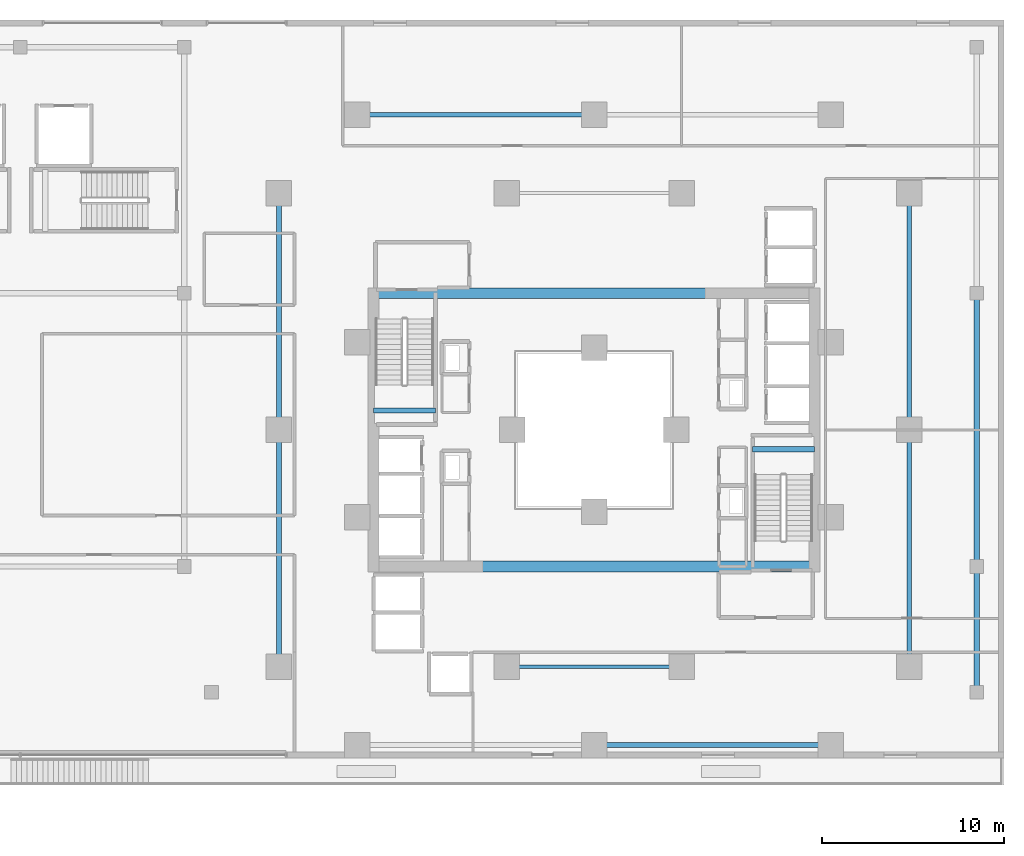
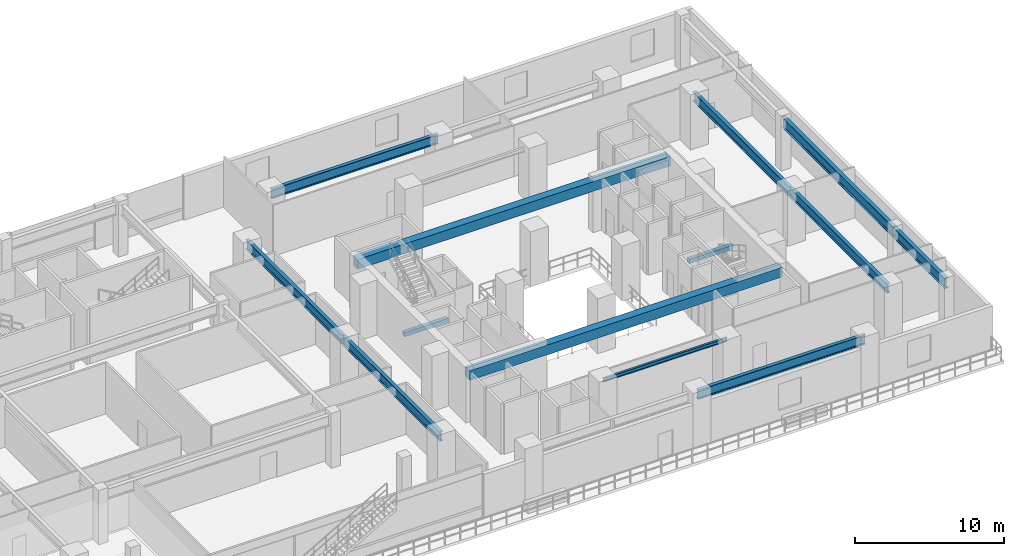
# One storey, part 9 of 24: 13 beams.
"""IFC4 building model written with IfcOpenShell, lengths in metres."""

from ifc_helpers import new_model, si_unit, direction, frame, origin, origin_2d, place, context, subcontext, project, spatial, rectangle, i_section, extrude, material, material_profile, profile_set, type_object, element, save


model = new_model("IFC4")

# Units and contexts
model_context = context("Model", 3, precision=1e-05, world=origin(), true_north=direction((0.0, 1.0)))
body_context = subcontext(model_context, "Body", "Model", "MODEL_VIEW")
ifc_project = project(units=[si_unit("LENGTHUNIT", "METRE"), si_unit("AREAUNIT", "SQUARE_METRE"), si_unit("VOLUMEUNIT", "CUBIC_METRE"), si_unit("PLANEANGLEUNIT", "RADIAN"), si_unit("MASSUNIT", "GRAM", prefix="KILO")], contexts=[model_context])

# Site, building, storey
site_placement = place(None, origin())
site = spatial("IfcSite", under=ifc_project, at=site_placement, CompositionType="ELEMENT")
building_placement = place(site_placement, origin())
building = spatial("IfcBuilding", under=site, at=building_placement, Name="Thornwick Lancets Civic Towers", CompositionType="ELEMENT")
storey_placement = place(building_placement, frame((0.0, 0.0, 14.10009765625)))
storey = spatial("IfcBuildingStorey", under=building, at=storey_placement, Name="L03", CompositionType="ELEMENT", Elevation=14.10009765625)

# Beams
ifc_material_1 = material(Name="Concrete C60/75", Category="concrete")
ifc_material_profile_1 = material_profile(ifc_material_1, rectangle(XDim=0.60009765625, YDim=0.800048828125, at=origin_2d()), Name="RC 600x800")
ifc_profile_set_1 = profile_set([ifc_material_profile_1], Name="Concrete C60/75")
beam_type_1 = type_object("IfcBeamType", Name="BM_COUP_RC800", PredefinedType="BEAM", material=ifc_profile_set_1)
for number, where, z_axis, x_axis, name in (
    (1, (76.39990234375, 34.5, 3.77978515625), (1.0, 0.0, 0.0), (0.0, 1.0, 0.0), "CB-L03-B1"),
    (2, (76.39990234375, 19.5, 3.77978515625), (1.0, 0.0, 0.0), (0.0, 1.0, 0.0), "CB-L03-B2"),
):
    element("IfcBeam", number, at=place(storey_placement, frame(where, z_axis=z_axis, x_axis=x_axis)), inside=storey, type_object=beam_type_1, Name=name, PredefinedType="BEAM", context=body_context, shape_type="SweptSolid", body=[
        extrude(rectangle(XDim=0.60009765625, YDim=0.800048828125, at=origin_2d()), origin(), (0.0, 0.0, 1.0), 24.2001953125),
    ])
ifc_material_2 = material(Name="Steel S355JR", Category="steel")
ifc_material_profile_2 = material_profile(ifc_material_2, i_section(OverallWidth=0.26806640625, OverallDepth=0.769775390625, WebThickness=0.015625, FlangeThickness=0.025390625, FilletRadius=0.0166015625, at=origin_2d()), Name="UKB 762x267x197")
ifc_profile_set_2 = profile_set([ifc_material_profile_2], Name="Steel S355JR")
beam_type_2 = type_object("IfcBeamType", Name="BM_GIRD_762_197", PredefinedType="BEAM", material=ifc_profile_set_2)
beam_1_placement = place(storey_placement, frame((105.800048828125, 14.0, 3.794921875), z_axis=(0.0, 1.0, 0.0), x_axis=(-1.0, 0.0, 0.0)))
element("IfcBeam", 3, at=beam_1_placement, inside=storey, type_object=beam_type_2, Name="BM-SPINE-L03-B-0-1", PredefinedType="BEAM", context=body_context, shape_type="SweptSolid", body=[
    extrude(i_section(OverallWidth=0.26806640625, OverallDepth=0.769775390625, WebThickness=0.015625, FlangeThickness=0.025390625, FilletRadius=0.0166015625, at=origin_2d()), origin(), (0.0, 0.0, 1.0), 13.0),
])
for number, where, z_axis, x_axis, name in (
    (4, (105.800048828125, 27.080078125, 3.794921875), (0.0, 1.0, 0.0), (-1.0, 0.0, 0.0), "BM-SPINE-L03-B-1-2"),
    (5, (88.419921875, 44.300048828125, 3.794921875), (-1.0, 0.0, 0.0), (0.0, -1.0, 0.0), "BM-SPINE-L03-B-4-5"),
):
    element("IfcBeam", number, at=place(storey_placement, frame(where, z_axis=z_axis, x_axis=x_axis)), inside=storey, type_object=beam_type_2, Name=name, PredefinedType="BEAM", context=body_context, shape_type="SweptSolid", body=[
        extrude(i_section(OverallWidth=0.26806640625, OverallDepth=0.769775390625, WebThickness=0.015625, FlangeThickness=0.025390625, FilletRadius=0.0166015625, at=origin_2d()), origin(), (0.0, 0.0, 1.0), 12.919921875),
    ])
beam_2_placement = place(storey_placement, frame((71.199951171875, 14.0, 3.794921875), z_axis=(0.0, 1.0, 0.0), x_axis=(-1.0, 0.0, 0.0)))
element("IfcBeam", 6, at=beam_2_placement, inside=storey, type_object=beam_type_2, Name="BM-SPINE-L03-B-6-7", PredefinedType="BEAM", context=body_context, shape_type="SweptSolid", body=[
    extrude(i_section(OverallWidth=0.26806640625, OverallDepth=0.769775390625, WebThickness=0.015625, FlangeThickness=0.025390625, FilletRadius=0.0166015625, at=origin_2d()), origin(), (0.0, 0.0, 1.0), 13.0),
])
beam_3_placement = place(storey_placement, frame((71.199951171875, 27.080078125, 3.794921875), z_axis=(0.0, 1.0, 0.0), x_axis=(-1.0, 0.0, 0.0)))
element("IfcBeam", 7, at=beam_3_placement, inside=storey, type_object=beam_type_2, Name="BM-SPINE-L03-B-7-8", PredefinedType="BEAM", context=body_context, shape_type="SweptSolid", body=[
    extrude(i_section(OverallWidth=0.26806640625, OverallDepth=0.769775390625, WebThickness=0.015625, FlangeThickness=0.025390625, FilletRadius=0.0166015625, at=origin_2d()), origin(), (0.0, 0.0, 1.0), 12.919921875),
])
beam_4_placement = place(storey_placement, frame((101.5, 9.699951171875, 3.794921875), z_axis=(-1.0, 0.0, 0.0), x_axis=(0.0, -1.0, 0.0)))
element("IfcBeam", 8, at=beam_4_placement, inside=storey, type_object=beam_type_2, Name="BM-SPINE-L03-B-9-10", PredefinedType="BEAM", context=body_context, shape_type="SweptSolid", body=[
    extrude(i_section(OverallWidth=0.26806640625, OverallDepth=0.769775390625, WebThickness=0.015625, FlangeThickness=0.025390625, FilletRadius=0.0166015625, at=origin_2d()), origin(), (0.0, 0.0, 1.0), 13.0),
])
ifc_material_profile_3 = material_profile(ifc_material_2, i_section(OverallWidth=0.1669921875, OverallDepth=0.310302734375, WebThickness=0.0078125, FlangeThickness=0.013671875, FilletRadius=0.0087890625, at=origin_2d()), Name="UKB 305x165x54")
ifc_profile_set_3 = profile_set([ifc_material_profile_3], Name="Steel S355JR")
beam_type_3 = type_object("IfcBeamType", Name="BM_LINTEL_305_54", PredefinedType="LINTEL", material=ifc_profile_set_3)
beam_5_placement = place(storey_placement, frame((93.300048828125, 14.0, 4.024658203125), z_axis=(-1.0, 0.0, 0.0), x_axis=(0.0, -1.0, 0.0)))
element("IfcBeam", 9, at=beam_5_placement, inside=storey, type_object=beam_type_3, Name="BM-INSP-L03-B-0-2", PredefinedType="LINTEL", context=body_context, shape_type="SweptSolid", body=[
    extrude(i_section(OverallWidth=0.1669921875, OverallDepth=0.310302734375, WebThickness=0.0078125, FlangeThickness=0.013671875, FilletRadius=0.0087890625, at=origin_2d()), origin(), (0.0, 0.0, 1.0), 9.60009765625),
])
ifc_material_profile_4 = material_profile(ifc_material_2, i_section(OverallWidth=0.293701171875, OverallDepth=0.850830078125, WebThickness=0.01611328125, FlangeThickness=0.02685546875, FilletRadius=0.017822265625, at=origin_2d()), Name="UKB 838x292x226")
ifc_profile_set_4 = profile_set([ifc_material_profile_4], Name="Steel S355JR")
beam_type_4 = type_object("IfcBeamType", Name="BM_POD_838_226", PredefinedType="BEAM", material=ifc_profile_set_4)
beam_6_placement = place(storey_placement, frame((109.5, 12.60009765625, 3.75439453125), z_axis=(0.0, 1.0, 0.0), x_axis=(-1.0, 0.0, 0.0)))
element("IfcBeam", 10, at=beam_6_placement, inside=storey, type_object=beam_type_4, Name="BM-PODG-L03-3-14", PredefinedType="BEAM", context=body_context, shape_type="SweptSolid", body=[
    extrude(i_section(OverallWidth=0.293701171875, OverallDepth=0.850830078125, WebThickness=0.01611328125, FlangeThickness=0.02685546875, FilletRadius=0.017822265625, at=origin_2d()), origin(), (0.0, 0.0, 1.0), 6.89990234375),
])
beam_7_placement = place(storey_placement, frame((109.5, 19.580078125, 3.75439453125), z_axis=(0.0, 1.0, 0.0), x_axis=(-1.0, 0.0, 0.0)))
element("IfcBeam", 11, at=beam_7_placement, inside=storey, type_object=beam_type_4, Name="BM-PODG-L03-14-15", PredefinedType="BEAM", context=body_context, shape_type="SweptSolid", body=[
    extrude(i_section(OverallWidth=0.293701171875, OverallDepth=0.850830078125, WebThickness=0.01611328125, FlangeThickness=0.02685546875, FilletRadius=0.017822265625, at=origin_2d()), origin(), (0.0, 0.0, 1.0), 14.919921875),
])
ifc_material_3 = material(Name="Concrete C40/50", Category="concrete")
ifc_material_profile_5 = material_profile(ifc_material_3, rectangle(XDim=0.300048828125, YDim=0.35009765625, at=origin_2d()), Name="RC 300x350")
ifc_profile_set_5 = profile_set([ifc_material_profile_5], Name="Concrete C40/50")
beam_type_5 = type_object("IfcBeamType", Name="BM_STAIR_LDG", PredefinedType="BEAM", material=ifc_profile_set_5)
for number, where, z_axis, x_axis, name in (
    (12, (100.60009765625, 25.93505859375, 1.827880859375), (-1.0, 0.0, 0.0), (0.0, -1.0, 0.0), "L03 ST-B1 Landing Support Beam 1"),
    (13, (76.39990234375, 28.06494140625, 1.827880859375), (1.0, 0.0, 0.0), (0.0, 1.0, 0.0), "L03 ST-B2 Landing Support Beam 1"),
):
    element("IfcBeam", number, at=place(storey_placement, frame(where, z_axis=z_axis, x_axis=x_axis)), inside=storey, type_object=beam_type_5, Name=name, PredefinedType="BEAM", context=body_context, shape_type="SweptSolid", body=[
        extrude(rectangle(XDim=0.300048828125, YDim=0.35009765625, at=origin_2d()), origin(), (0.0, 0.0, 1.0), 3.400146484375),
    ])

save(model, "model.ifc")
